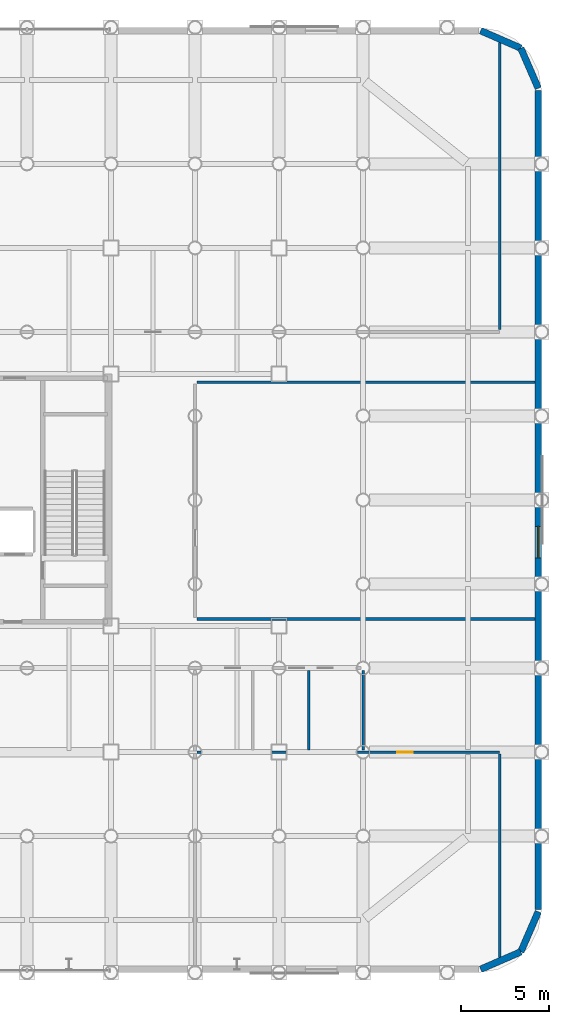
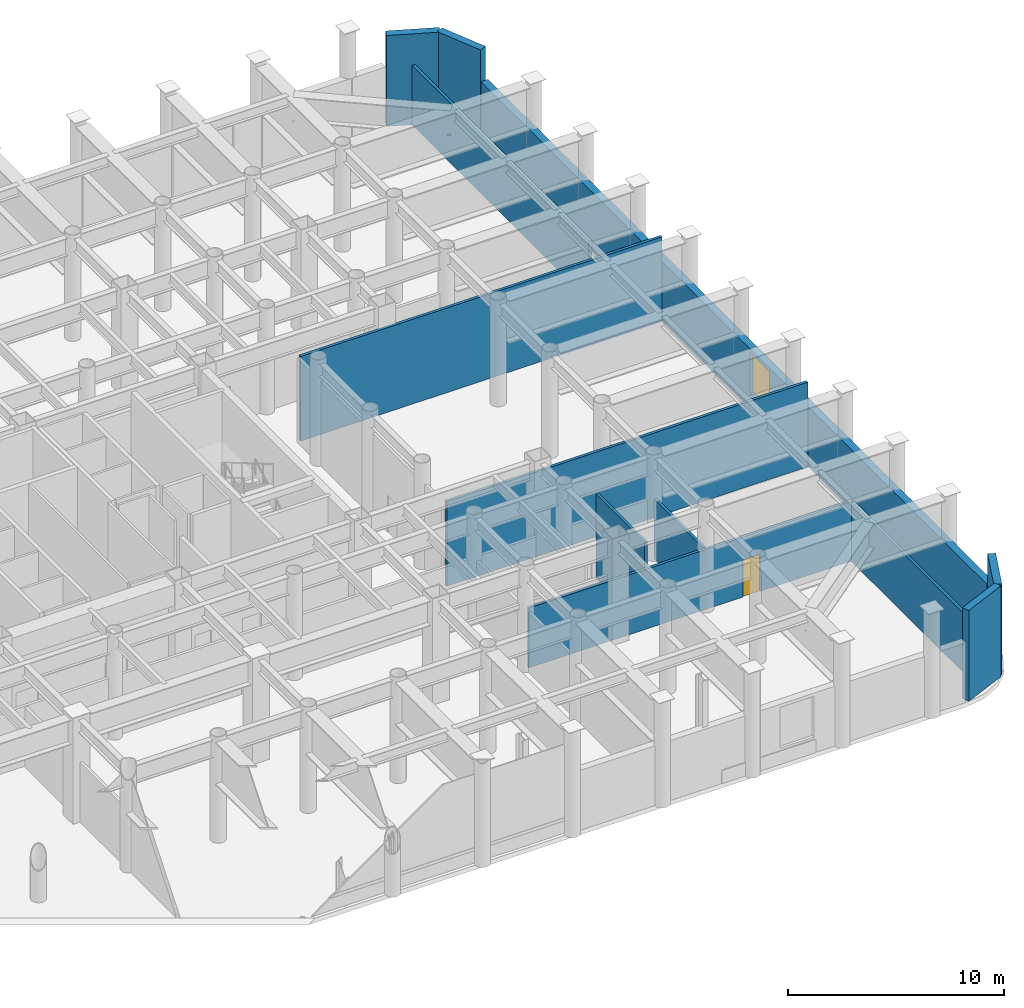
# One storey, part 20 of 26: 12 walls, 1 door, 1 window, 2 openings.
"""IFC4 building model written with IfcOpenShell, lengths in metres."""

from ifc_helpers import new_model, si_unit, direction, frame, frame_2d, origin, place, context, subcontext, project, spatial, rectangle, extrude, material, layer, layer_set, type_object, element, fill, save


model = new_model("IFC4")

# Units and contexts
model_context = context("Model", 3, precision=1e-05, world=origin(), true_north=direction((0.0, 1.0)))
body_context = subcontext(model_context, "Body", "Model", "MODEL_VIEW")
ifc_project = project(units=[si_unit("LENGTHUNIT", "METRE"), si_unit("AREAUNIT", "SQUARE_METRE"), si_unit("VOLUMEUNIT", "CUBIC_METRE"), si_unit("PLANEANGLEUNIT", "RADIAN"), si_unit("MASSUNIT", "GRAM", prefix="KILO")], contexts=[model_context])

# Site, building, storey
site_placement = place(None, origin())
site = spatial("IfcSite", under=ifc_project, at=site_placement, CompositionType="ELEMENT")
building_placement = place(site_placement, origin())
building = spatial("IfcBuilding", under=site, at=building_placement, Name="Kallvorn Hotel Tower", CompositionType="ELEMENT")
storey_placement = place(building_placement, frame((0.0, 0.0, 6.0)))
storey = spatial("IfcBuildingStorey", under=building, at=storey_placement, Name="L01", CompositionType="ELEMENT", Elevation=6.0)

# Wall, opening, window
ifc_material_1 = material(Name="Precast basalt-clad insulated concrete wall C40/50", Category="masonry")
ifc_layer_1 = layer(ifc_material_1, 0.3798828125)
ifc_layer_set_1 = layer_set([ifc_layer_1], Name="WL_EXT_PODIUM_380")
wall_type_1 = type_object("IfcWallType", Name="WL_EXT_PODIUM_380", PredefinedType="SOLIDWALL", material=ifc_layer_set_1)
wall_1_placement = place(storey_placement, frame((38.81005859375, 23.39990234375, 0.0), z_axis=(0.0, 0.0, 1.0), x_axis=(0.0, -1.0, 0.0)))
wall_1 = element("IfcWall", 1, at=wall_1_placement, inside=storey, type_object=wall_type_1, Name="L01 Podium Exterior Wall EW-L01-E", PredefinedType="SOLIDWALL", context=body_context, shape_type="SweptSolid", body=[
    extrude(rectangle(XDim=46.7998046875, YDim=0.3798828125, at=frame_2d((23.39990234375, 0.0))), origin(), (0.0, 0.0, 1.0), 3.3798828125),
])
opening_1_placement = place(wall_1_placement, frame((24.89990234375, 0.0, 0.89990234375)))
opening_1 = element("IfcOpeningElement", 2, at=opening_1_placement, cuts=wall_1, Name="Opening W02", PredefinedType="OPENING", context=body_context, shape_type="SweptSolid", body=[
    extrude(rectangle(XDim=1.800048828125, YDim=2.300048828125, at=frame_2d((0.89990234375, 1.14990234375))), frame((0.0, 0.204833984375, 0.0), z_axis=(0.0, -1.0, 0.0), x_axis=(1.0, 0.0, 0.0)), (0.0, 0.0, 1.0), 0.409912109375),
])
ifc_material_2 = material(Name="Double-glazed low-e solar-control dark glass", Category="glass")
window_type = type_object("IfcWindowType", Name="WN_POD_1800x2300", PartitioningType="SINGLE_PANEL", PredefinedType="WINDOW", material=ifc_material_2)
window_placement = place(opening_1_placement, origin())
window = element("IfcWindow", 3, at=window_placement, inside=storey, type_object=window_type, Name="L01 Podium Window EW-L01-E", OverallHeight=2.300048828125, OverallWidth=1.800048828125, PartitioningType="SINGLE_PANEL", PredefinedType="WINDOW", context=body_context, shape_type="SweptSolid", body=[
    extrude(rectangle(XDim=1.800048828125, YDim=2.300048828125, at=frame_2d((0.89990234375, 1.14990234375))), frame((0.0, 0.030029296875, 0.0), z_axis=(0.0, -1.0, 0.0), x_axis=(1.0, 0.0, 0.0)), (0.0, 0.0, 1.0), 0.06005859375),
])
fill(opening_1, window)

# Walls
for number, where, z_axis, x_axis, name in (
    (4, (35.51904296875, -26.807861328125, 0.0), (0.0, 0.0, 1.0), (0.917076267627, 0.39871182495, 0.0), "L01 Rounded Corner Exterior Wall SE1"),
    (5, (37.811279296875, -25.811279296875, 0.0), (0.0, 0.0, 1.0), (0.39871182495, 0.917076267627, 0.0), "L01 Rounded Corner Exterior Wall SE2"),
    (6, (38.807861328125, 23.51904296875, 0.0), (0.0, 0.0, 1.0), (-0.39871182495, 0.917076267627, 0.0), "L01 Rounded Corner Exterior Wall NE1"),
    (7, (37.811279296875, 25.811279296875, 0.0), (0.0, 0.0, 1.0), (-0.917076267627, 0.39871182495, 0.0), "L01 Rounded Corner Exterior Wall NE2"),
):
    element("IfcWall", number, at=place(storey_placement, frame(where, z_axis=z_axis, x_axis=x_axis)), inside=storey, type_object=wall_type_1, Name=name, PredefinedType="SOLIDWALL", context=body_context, shape_type="SweptSolid", body=[
        extrude(rectangle(XDim=2.49951171875, YDim=0.3798828125, at=frame_2d((1.249755859375, 0.0))), origin(), (0.0, 0.0, 1.0), 5.1298828125),
    ])

# Wall, opening, door
ifc_material_3 = material(Name="Fire-rated double-layer acoustic gypsum drywall EI 60")
ifc_layer_2 = layer(ifc_material_3, 0.14990234375)
ifc_layer_set_2 = layer_set([ifc_layer_2], Name="WL_PART_150")
wall_type_2 = type_object("IfcWallType", Name="WL_PART_150", PredefinedType="PARTITIONING", material=ifc_layer_set_2)
wall_2_placement = place(storey_placement, frame((19.320068359375, -14.39990234375, 0.0), z_axis=(0.0, 0.0, 1.0), x_axis=(1.0, 0.0, 0.0)))
wall_2 = element("IfcWall", 8, at=wall_2_placement, inside=storey, type_object=wall_type_2, Name="L01 Mezzanine Cocktail Bar Partition", PredefinedType="PARTITIONING", context=body_context, shape_type="SweptSolid", body=[
    extrude(rectangle(XDim=17.280029296875, YDim=0.14990234375, at=frame_2d((8.64013671875, 0.0))), origin(), (0.0, 0.0, 1.0), 3.3798828125),
])
opening_2_placement = place(wall_2_placement, frame((11.429931640625, 0.0, 0.0)))
opening_2 = element("IfcOpeningElement", 9, at=opening_2_placement, cuts=wall_2, Name="Opening SVD1", PredefinedType="OPENING", context=body_context, shape_type="SweptSolid", body=[
    extrude(rectangle(XDim=0.89990234375, YDim=2.10009765625, at=frame_2d((0.449951171875, 1.050048828125))), frame((0.0, 0.08984375, 0.0), z_axis=(0.0, -1.0, 0.0), x_axis=(1.0, 0.0, 0.0)), (0.0, 0.0, 1.0), 0.179931640625),
])
ifc_material_4 = material(Name="Galvanised painted steel fire-rated door assembly", Category="steel")
door_type = type_object("IfcDoorType", Name="DR_SERV_900x2100", OperationType="NOTDEFINED", PredefinedType="DOOR", material=ifc_material_4)
door_placement = place(opening_2_placement, origin())
door = element("IfcDoor", 10, at=door_placement, inside=storey, type_object=door_type, Name="L01 Mezzanine Cocktail Bar Door", OperationType="SINGLE_SWING_RIGHT", OverallHeight=2.10009765625, OverallWidth=0.89990234375, PredefinedType="DOOR", context=body_context, shape_type="SweptSolid", body=[
    extrude(rectangle(XDim=0.89990234375, YDim=2.10009765625, at=frame_2d((0.449951171875, 1.050048828125))), frame((0.0, 0.02490234375, 0.0), z_axis=(0.0, -1.0, 0.0), x_axis=(1.0, 0.0, 0.0)), (0.0, 0.0, 1.0), 0.050048828125),
])
fill(opening_2, door)

# Walls
for number, where, z_axis, x_axis, name in (
    (11, (19.320068359375, -6.800048828125, 0.0), (0.0, 0.0, 1.0), (1.0, 0.0, 0.0), "L01 East Mezzanine Exhibition Gallery Partition"),
    (12, (19.320068359375, 6.716796875, 0.0), (0.0, 0.0, 1.0), (1.0, 0.0, 0.0), "L01 East Mezzanine Exhibition Gallery Partition"),
):
    element("IfcWall", number, at=place(storey_placement, frame(where, z_axis=z_axis, x_axis=x_axis)), inside=storey, type_object=wall_type_2, Name=name, PredefinedType="PARTITIONING", context=body_context, shape_type="SweptSolid", body=[
        extrude(rectangle(XDim=19.2900390625, YDim=0.14990234375, at=frame_2d((9.64501953125, 0.0))), origin(), (0.0, 0.0, 1.0), 4.780029296875),
    ])
wall_3_placement = place(storey_placement, frame((36.60009765625, -26.137939453125, 0.0), z_axis=(0.0, 0.0, 1.0), x_axis=(0.0, 1.0, 0.0)))
element("IfcWall", 13, at=wall_3_placement, inside=storey, type_object=wall_type_2, Name="L01 Mezzanine Cocktail Bar Partition", PredefinedType="PARTITIONING", context=body_context, shape_type="SweptSolid", body=[
    extrude(rectangle(XDim=11.617919921875, YDim=0.14990234375, at=frame_2d((5.80908203125, 0.0))), origin(), (0.0, 0.0, 1.0), 3.3798828125),
])
wall_4_placement = place(storey_placement, frame((36.60009765625, 9.75, 0.0), z_axis=(0.0, 0.0, 1.0), x_axis=(0.0, 1.0, 0.0)))
element("IfcWall", 14, at=wall_4_placement, inside=storey, type_object=wall_type_2, Name="L01 Hotel Administration Open-Plan Office Partition", PredefinedType="PARTITIONING", context=body_context, shape_type="SweptSolid", body=[
    extrude(rectangle(XDim=16.387939453125, YDim=0.14990234375, at=frame_2d((8.19384765625, 0.0))), origin(), (0.0, 0.0, 1.0), 3.3798828125),
])
ifc_material_5 = material(Name="Moisture-resistant acoustic plumbing chase wall EI 60")
ifc_layer_3 = layer(ifc_material_5, 0.139892578125)
ifc_layer_set_3 = layer_set([ifc_layer_3], Name="WL_PLUMB_140")
wall_type_3 = type_object("IfcWallType", Name="WL_PLUMB_140", PredefinedType="PLUMBINGWALL", material=ifc_layer_set_3)
wall_5_placement = place(storey_placement, frame((25.68505859375, -14.280029296875, 0.0), z_axis=(0.0, 0.0, 1.0), x_axis=(0.0, 1.0, 0.0)))
element("IfcWall", 15, at=wall_5_placement, inside=storey, type_object=wall_type_3, Name="L01 Accessible Restroom WC Partition", PredefinedType="PLUMBINGWALL", context=body_context, shape_type="SweptSolid", body=[
    extrude(rectangle(XDim=4.530029296875, YDim=0.139892578125, at=frame_2d((2.26513671875, 0.0))), origin(), (0.0, 0.0, 1.0), 4.780029296875),
])
wall_6_placement = place(storey_placement, frame((28.800048828125, -14.280029296875, 0.0), z_axis=(0.0, 0.0, 1.0), x_axis=(0.0, 1.0, 0.0)))
element("IfcWall", 16, at=wall_6_placement, inside=storey, type_object=wall_type_3, Name="L01 Accessible Restroom WC Partition", PredefinedType="PLUMBINGWALL", context=body_context, shape_type="SweptSolid", body=[
    extrude(rectangle(XDim=4.530029296875, YDim=0.139892578125, at=frame_2d((2.26513671875, 0.0))), origin(), (0.0, 0.0, 1.0), 3.3798828125),
])

save(model, "model.ifc")
